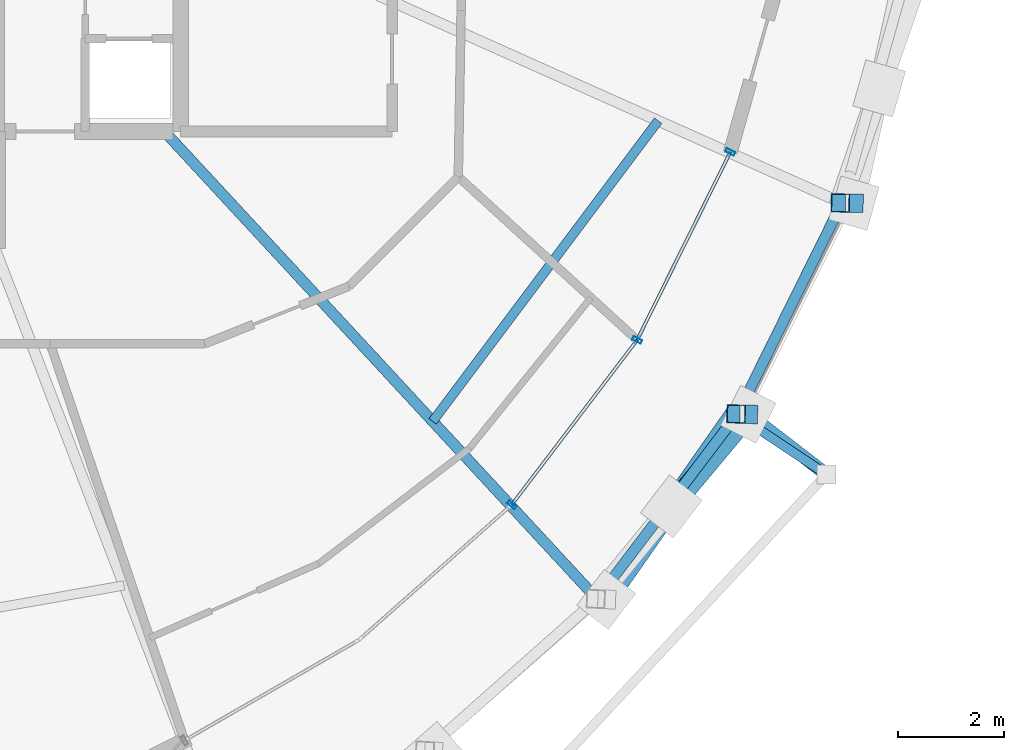
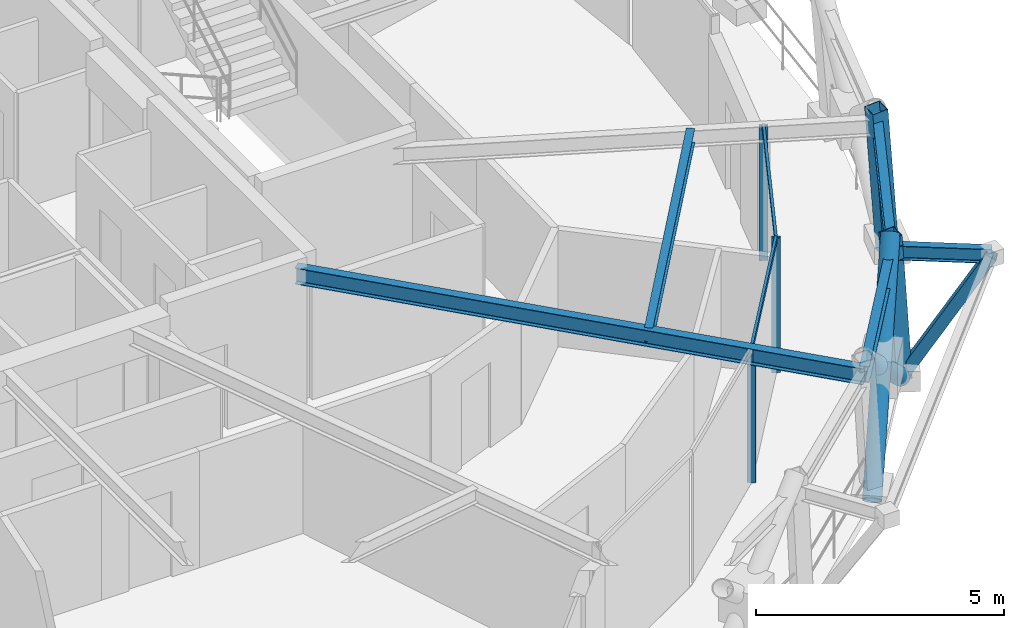
# One storey, part 4 of 15: 10 members, 5 beams, 1 element without a shape of its own.
"""IFC4 building model written with IfcOpenShell, lengths in metres."""

from ifc_helpers import new_model, si_unit, direction, frame, origin, origin_2d, place, context, subcontext, project, spatial, hollow_rectangle, hollow_circle, i_section, extrude, material, layer, layer_set, material_profile, profile_set, type_object, element, aggregate, save


model = new_model("IFC4")

# Units and contexts
model_context = context("Model", 3, precision=1e-05, world=origin(), true_north=direction((0.0, 1.0)))
body_context = subcontext(model_context, "Body", "Model", "MODEL_VIEW")
ifc_project = project(units=[si_unit("LENGTHUNIT", "METRE"), si_unit("AREAUNIT", "SQUARE_METRE"), si_unit("VOLUMEUNIT", "CUBIC_METRE"), si_unit("PLANEANGLEUNIT", "RADIAN"), si_unit("MASSUNIT", "GRAM", prefix="KILO")], contexts=[model_context])

# Site, building, storey
site_placement = place(None, origin())
site = spatial("IfcSite", under=ifc_project, at=site_placement, CompositionType="ELEMENT")
building_placement = place(site_placement, origin())
building = spatial("IfcBuilding", under=site, at=building_placement, Name="Veldorina Hangang Commons", CompositionType="ELEMENT")
storey_placement = place(building_placement, frame((0.0, 0.0, 268.800048828125)))
storey = spatial("IfcBuildingStorey", under=building, at=storey_placement, Name="L70", CompositionType="ELEMENT", Elevation=268.800048828125)

# Beams
ifc_material_1 = material(Name="Steel SM355-TMC", Category="steel")
ifc_material_profile_1 = material_profile(ifc_material_1, i_section(OverallWidth=0.175048828125, OverallDepth=0.35009765625, WebThickness=0.007080078125, FlangeThickness=0.010986328125, FilletRadius=0.012939453125, at=origin_2d()), Name="H-350x175x7x11")
ifc_profile_set_1 = profile_set([ifc_material_profile_1], Name="Steel SM355-TMC")
beam_type_1 = type_object("IfcBeamType", Name="BM-FG350", PredefinedType="BEAM", material=ifc_profile_set_1)
beam_1_placement = place(storey_placement, frame((49.6572265625, 11.230224609375, 3.18505859375), z_axis=(0.83148189355, -0.555551852394, 0.0), x_axis=(0.555551852394, 0.83148189355, 0.0)))
element("IfcBeam", 1, at=beam_1_placement, inside=storey, type_object=beam_type_1, Name="L71 tree balcony 1 bracket beam B", PredefinedType="BEAM", context=body_context, shape_type="SweptSolid", body=[
    extrude(i_section(OverallWidth=0.175048828125, OverallDepth=0.35009765625, WebThickness=0.007080078125, FlangeThickness=0.010986328125, FilletRadius=0.012939453125, at=origin_2d()), origin(), (0.0, 0.0, 1.0), 2.050048828125),
])
ifc_material_profile_2 = material_profile(ifc_material_1, i_section(OverallWidth=0.199951171875, OverallDepth=0.39990234375, WebThickness=0.008056640625, FlangeThickness=0.012939453125, FilletRadius=0.012939453125, at=origin_2d()), Name="H-400x200x8x13")
ifc_profile_set_2 = profile_set([ifc_material_profile_2], Name="Steel SM355-TMC")
beam_type_2 = type_object("IfcBeamType", Name="BM-FG400", PredefinedType="BEAM", material=ifc_profile_set_2)
beam_2_placement = place(storey_placement, frame((38.893798828125, 16.550048828125, 3.159912109375), z_axis=(0.679179899846, -0.73397184118, 0.0), x_axis=(0.73397184118, 0.679179899846, 0.0)))
element("IfcBeam", 2, at=beam_2_placement, inside=storey, type_object=beam_type_2, Name="L70 radial floor girder 15", PredefinedType="BEAM", context=body_context, shape_type="SweptSolid", body=[
    extrude(i_section(OverallWidth=0.199951171875, OverallDepth=0.39990234375, WebThickness=0.008056640625, FlangeThickness=0.012939453125, FilletRadius=0.012939453125, at=origin_2d()), origin(), (0.0, 0.0, 1.0), 11.994873046875),
])
ifc_material_profile_3 = material_profile(ifc_material_1, i_section(OverallWidth=0.175048828125, OverallDepth=0.35009765625, WebThickness=0.007080078125, FlangeThickness=0.010986328125, FilletRadius=0.012939453125, at=origin_2d()), Name="H-350x175x7x11")
ifc_profile_set_3 = profile_set([ifc_material_profile_3], Name="Steel SM355-TMC")
beam_type_3 = type_object("IfcBeamType", Name="BM-JST350", PredefinedType="JOIST", material=ifc_profile_set_3)
beam_3_placement = place(storey_placement, frame((43.94482421875, 11.091552734375, 3.18505859375), z_axis=(0.600022079701, 0.799983439748, 0.0), x_axis=(-0.799983439748, 0.600022079701, 0.0)))
element("IfcBeam", 3, at=beam_3_placement, inside=storey, type_object=beam_type_3, Name="L70 secondary floor joist 15", PredefinedType="JOIST", context=body_context, shape_type="SweptSolid", body=[
    extrude(i_section(OverallWidth=0.175048828125, OverallDepth=0.35009765625, WebThickness=0.007080078125, FlangeThickness=0.010986328125, FilletRadius=0.012939453125, at=origin_2d()), origin(), (0.0, 0.0, 1.0), 7.07666015625),
])
ifc_material_profile_4 = material_profile(ifc_material_1, i_section(OverallWidth=0.199951171875, OverallDepth=0.39990234375, WebThickness=0.008056640625, FlangeThickness=0.012939453125, FilletRadius=0.012939453125, at=origin_2d()), Name="H-400x200x8x13")
ifc_profile_set_4 = profile_set([ifc_material_profile_4], Name="Steel SM355-TMC")
beam_type_4 = type_object("IfcBeamType", Name="BM-RB400", PredefinedType="BEAM", material=ifc_profile_set_4)
beam_4_placement = place(storey_placement, frame((47.04052734375, 7.74609375, 3.159912109375), z_axis=(0.604776116347, 0.796395535583, 0.0), x_axis=(-0.796395535583, 0.604776116347, 0.0)))
element("IfcBeam", 4, at=beam_4_placement, inside=storey, type_object=beam_type_4, Name="L70 perimeter hoop ring beam 28", PredefinedType="BEAM", context=body_context, shape_type="SweptSolid", body=[
    extrude(i_section(OverallWidth=0.199951171875, OverallDepth=0.39990234375, WebThickness=0.008056640625, FlangeThickness=0.012939453125, FilletRadius=0.012939453125, at=origin_2d()), origin(), (0.0, 0.0, 1.0), 4.3740234375),
])
beam_5_placement = place(storey_placement, frame((49.685791015625, 11.2294921875, 3.159912109375), z_axis=(0.443377021076, 0.896335214739, 0.0), x_axis=(-0.896335214739, 0.443377021076, 0.0)))
element("IfcBeam", 5, at=beam_5_placement, inside=storey, type_object=beam_type_4, Name="L70 perimeter hoop ring beam 29", PredefinedType="BEAM", context=body_context, shape_type="SweptSolid", body=[
    extrude(i_section(OverallWidth=0.199951171875, OverallDepth=0.39990234375, WebThickness=0.008056640625, FlangeThickness=0.012939453125, FilletRadius=0.012939453125, at=origin_2d()), origin(), (0.0, 0.0, 1.0), 4.433837890625),
])

# Curtain wall, members
ifc_material_2 = material(Name="Glass Low-E Selective", Category="glass")
ifc_layer = layer(ifc_material_2, 0.179931640625)
ifc_layer_set = layer_set([ifc_layer], Name="Glass Low-E Selective")
curtain_wall_type = type_object("IfcCurtainWallType", Name="CW-SYS-Z3", PredefinedType="NOTDEFINED", material=ifc_layer_set)
curtain_wall_placement = place(storey_placement, origin())
curtain_wall = element("IfcCurtainWall", 6, at=curtain_wall_placement, inside=storey, type_object=curtain_wall_type, Name="L70 unitised curtain wall CW-L70-R1", PredefinedType="NOTDEFINED")
ifc_material_3 = material(Name="Aluminium Anodized AA6063-T6", Category="aluminium")
ifc_material_profile_5 = material_profile(ifc_material_3, hollow_rectangle(XDim=0.070068359375, YDim=0.179931640625, WallThickness=0.00390625, at=origin_2d()), Name="ALU-RHS-180x70x4")
ifc_profile_set_5 = profile_set([ifc_material_profile_5], Name="Aluminium Anodized AA6063-T6")
member_type_1 = type_object("IfcMemberType", Name="CW-MUL-180", PredefinedType="MULLION", material=ifc_profile_set_5)
member_1_placement = place(storey_placement, frame((45.432861328125, 9.5205078125, 0.0), z_axis=(0.0, 0.0, 1.0), x_axis=(0.605766238539, 0.795642673721, 0.0)))
member_1 = element("IfcMember", 7, at=member_1_placement, type_object=member_type_1, Name="CW-L70-R1 vertical mullion 2", PredefinedType="MULLION", context=body_context, shape_type="SweptSolid", body=[
    extrude(hollow_rectangle(XDim=0.070068359375, YDim=0.179931640625, WallThickness=0.00390625, at=origin_2d()), origin(), (0.0, 0.0, 1.0), 3.320068359375),
])
member_2_placement = place(storey_placement, frame((47.79541015625, 12.62353515625, 0.0), z_axis=(0.0, 0.0, 1.0), x_axis=(0.444259945323, 0.895897930002, 0.0)))
member_2 = element("IfcMember", 8, at=member_2_placement, type_object=member_type_1, Name="CW-L70-R1 vertical mullion 3", PredefinedType="MULLION", context=body_context, shape_type="SweptSolid", body=[
    extrude(hollow_rectangle(XDim=0.070068359375, YDim=0.179931640625, WallThickness=0.00390625, at=origin_2d()), origin(), (0.0, 0.0, 1.0), 3.320068359375),
])
member_3_placement = place(storey_placement, frame((49.55078125, 16.163818359375, 0.0), z_axis=(0.0, 0.0, 1.0), x_axis=(-0.444259945323, -0.895897930002, 0.0)))
member_3 = element("IfcMember", 9, at=member_3_placement, type_object=member_type_1, Name="CW-L70-R1 vertical mullion 4", PredefinedType="MULLION", context=body_context, shape_type="SweptSolid", body=[
    extrude(hollow_rectangle(XDim=0.070068359375, YDim=0.179931640625, WallThickness=0.00390625, at=origin_2d()), origin(), (0.0, 0.0, 1.0), 3.320068359375),
])
ifc_material_profile_6 = material_profile(ifc_material_3, hollow_rectangle(XDim=0.06005859375, YDim=0.139892578125, WallThickness=0.00341796875, at=origin_2d()), Name="ALU-RHS-140x60x3.5")
ifc_profile_set_6 = profile_set([ifc_material_profile_6], Name="Aluminium Anodized AA6063-T6")
member_type_2 = type_object("IfcMemberType", Name="CW-TRN-140", PredefinedType="USERDEFINED", material=ifc_profile_set_6)
member_4_placement = place(storey_placement, frame((45.432861328125, 9.5205078125, 3.280029296875), z_axis=(0.60577347352, 0.795637165283, 0.0), x_axis=(-0.795637165283, 0.60577347352, 0.0)))
member_4 = element("IfcMember", 10, at=member_4_placement, type_object=member_type_2, Name="CW-L70-R1 facet 3 transom 1", ObjectType="TRANSOM", PredefinedType="USERDEFINED", context=body_context, shape_type="SweptSolid", body=[
    extrude(hollow_rectangle(XDim=0.06005859375, YDim=0.139892578125, WallThickness=0.00341796875, at=origin_2d()), origin(), (0.0, 0.0, 1.0), 3.900146484375),
])
member_5_placement = place(storey_placement, frame((47.79541015625, 12.62353515625, 3.280029296875), z_axis=(0.444220792071, 0.895917344342, 0.0), x_axis=(-0.895917344342, 0.444220792071, 0.0)))
member_5 = element("IfcMember", 11, at=member_5_placement, type_object=member_type_2, Name="CW-L70-R1 facet 4 transom 1", ObjectType="TRANSOM", PredefinedType="USERDEFINED", context=body_context, shape_type="SweptSolid", body=[
    extrude(hollow_rectangle(XDim=0.06005859375, YDim=0.139892578125, WallThickness=0.00341796875, at=origin_2d()), origin(), (0.0, 0.0, 1.0), 3.95166015625),
])
aggregate(curtain_wall, [member_1, member_2, member_3, member_4, member_5])

# Members
ifc_material_profile_7 = material_profile(ifc_material_1, hollow_circle(Radius=0.199951171875, WallThickness=0.02001953125, at=origin_2d()), Name="CHS-400x20")
ifc_profile_set_7 = profile_set([ifc_material_profile_7], Name="Steel SM355-TMC")
member_type_3 = type_object("IfcMemberType", Name="DG-CHS400", PredefinedType="BRACE", material=ifc_profile_set_7)
member_6_placement = place(storey_placement, frame((47.214599609375, 7.73876953125, 0.0), z_axis=(0.43789283932, 0.625917590717, 0.64535031642), x_axis=(-0.819385320532, 0.573243139076, 0.0)))
element("IfcMember", 12, at=member_6_placement, inside=storey, type_object=member_type_3, Name="L70 continuous perimeter diagrid brace 28", PredefinedType="BRACE", context=body_context, shape_type="SweptSolid", body=[
    extrude(hollow_circle(Radius=0.199951171875, WallThickness=0.02001953125, at=origin_2d()), origin(), (0.0, 0.0, 1.0), 5.578125),
])
member_7_placement = place(storey_placement, frame((49.890625, 11.2236328125, 0.0), z_axis=(-0.501610586151, -0.599485822473, 0.623701505943), x_axis=(0.766936804903, -0.641722632674, 0.0)))
element("IfcMember", 13, at=member_7_placement, inside=storey, type_object=member_type_3, Name="L70 split perimeter diagrid lower brace 29", PredefinedType="BRACE", context=body_context, shape_type="SweptSolid", body=[
    extrude(hollow_circle(Radius=0.199951171875, WallThickness=0.02001953125, at=origin_2d()), origin(), (0.0, 0.0, 1.0), 2.8935546875),
])
ifc_material_profile_8 = material_profile(ifc_material_1, hollow_rectangle(XDim=0.25, YDim=0.25, WallThickness=0.011962890625, at=origin_2d()), Name="SHS-250x250x12")
ifc_profile_set_8 = profile_set([ifc_material_profile_8], Name="Steel SM355-TMC")
member_type_4 = type_object("IfcMemberType", Name="STR-SHS250", PredefinedType="STRUT", material=ifc_profile_set_8)
member_8_placement = place(storey_placement, frame((49.890625, 11.2236328125, 0.0), z_axis=(0.399062490149, -0.307144346052, 0.863951086373), x_axis=(0.609926819389, 0.792457743346, 0.0)))
element("IfcMember", 14, at=member_8_placement, inside=storey, type_object=member_type_4, Name="L71 tree balcony 1 raking knee strut B", PredefinedType="STRUT", context=body_context, shape_type="SweptSolid", body=[
    extrude(hollow_rectangle(XDim=0.25, YDim=0.25, WallThickness=0.011962890625, at=origin_2d()), origin(), (0.0, 0.0, 1.0), 3.6865234375),
])
ifc_material_profile_9 = material_profile(ifc_material_1, hollow_rectangle(XDim=0.35009765625, YDim=0.35009765625, WallThickness=0.01611328125, at=origin_2d()), Name="SHS-350x350x16")
ifc_profile_set_9 = profile_set([ifc_material_profile_9], Name="Steel SM355-TMC")
member_type_5 = type_object("IfcMemberType", Name="STR-SHS350", PredefinedType="STRUT", material=ifc_profile_set_9)
member_9_placement = place(storey_placement, frame((49.890625, 11.2236328125, 0.0), z_axis=(-0.064699584734, 0.001827289527, 0.997903113909), x_axis=(-0.028231420688, -0.999601414008, 0.0)))
element("IfcMember", 15, at=member_9_placement, inside=storey, type_object=member_type_5, Name="L70 perimeter ring node post 29", PredefinedType="STRUT", context=body_context, shape_type="SweptSolid", body=[
    extrude(hollow_rectangle(XDim=0.35009765625, YDim=0.35009765625, WallThickness=0.01611328125, at=origin_2d()), origin(), (0.0, 0.0, 1.0), 3.607421875),
])
member_10_placement = place(storey_placement, frame((51.87890625, 15.199462890625, 0.0), z_axis=(-0.071770969791, 0.001285248281, 0.997420310617), x_axis=(-0.017904763657, -0.999839696871, 0.0)))
element("IfcMember", 16, at=member_10_placement, inside=storey, type_object=member_type_5, Name="L70 perimeter ring node post 30", PredefinedType="STRUT", context=body_context, shape_type="SweptSolid", body=[
    extrude(hollow_rectangle(XDim=0.35009765625, YDim=0.35009765625, WallThickness=0.01611328125, at=origin_2d()), origin(), (0.0, 0.0, 1.0), 3.609130859375),
])

save(model, "model.ifc")
